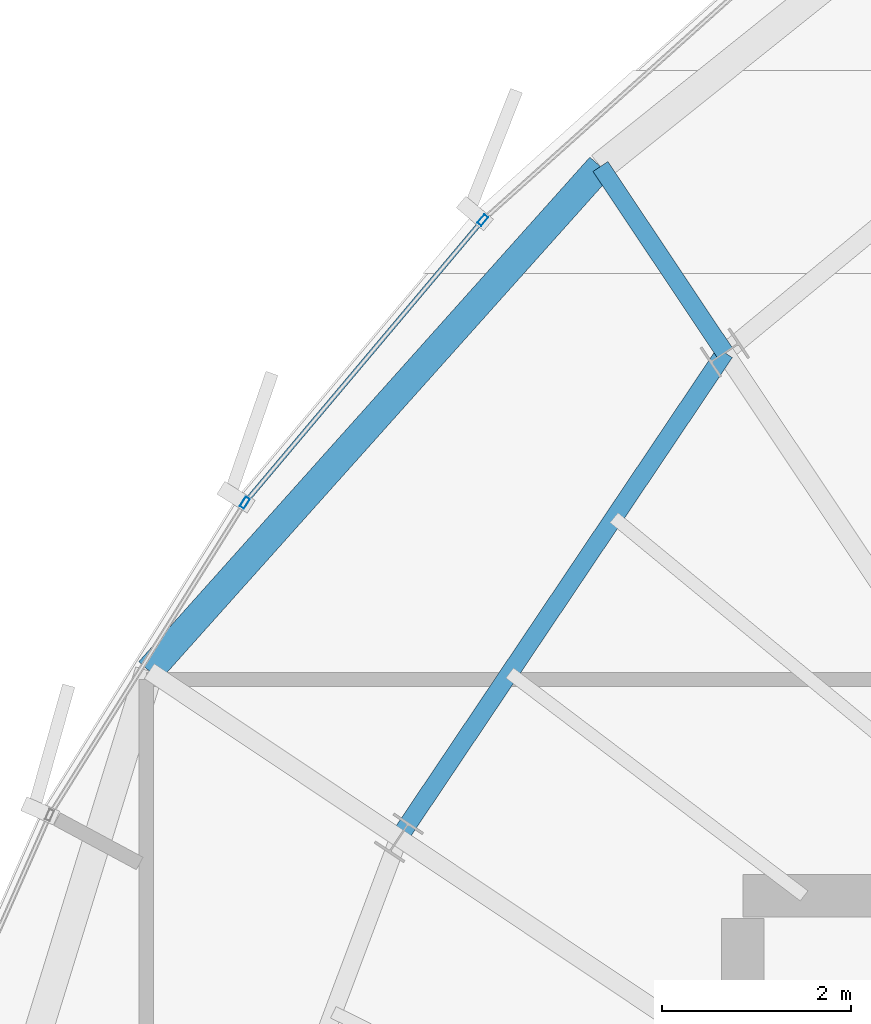
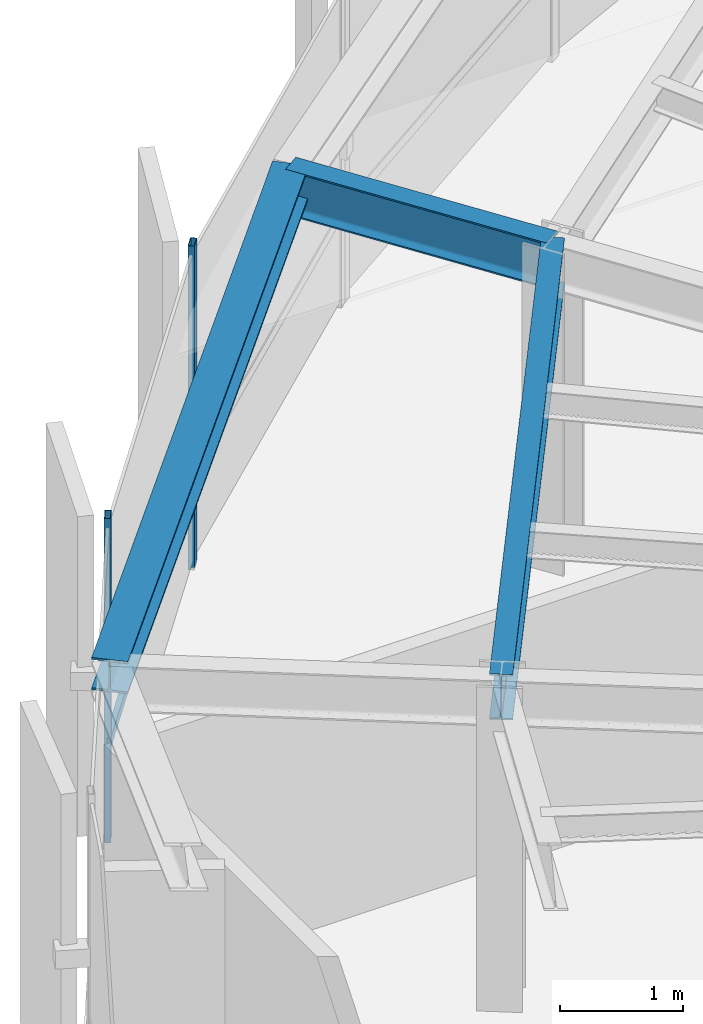
# One storey, part 17 of 31: 3 beams, 3 members, 1 element without a shape of its own.
"""IFC4 building model written with IfcOpenShell, lengths in metres."""

from ifc_helpers import new_model, si_unit, direction, frame, origin, origin_2d, place, context, subcontext, project, spatial, hollow_rectangle, i_section, extrude, source, transform, mapped, material, layer, layer_set, material_profile, profile_set, type_object, element, aggregate, save


model = new_model("IFC4")

# Units and contexts
model_context = context("Model", 3, precision=1e-05, world=origin(), true_north=direction((0.0, 1.0)))
body_context = subcontext(model_context, "Body", "Model", "MODEL_VIEW")
ifc_project = project(units=[si_unit("LENGTHUNIT", "METRE"), si_unit("AREAUNIT", "SQUARE_METRE"), si_unit("VOLUMEUNIT", "CUBIC_METRE"), si_unit("PLANEANGLEUNIT", "RADIAN"), si_unit("MASSUNIT", "GRAM", prefix="KILO"), si_unit("THERMODYNAMICTEMPERATUREUNIT", "KELVIN")], contexts=[model_context])

# Site, building, storey
site_placement = place(None, origin())
site = spatial("IfcSite", under=ifc_project, at=site_placement, CompositionType="ELEMENT")
building_placement = place(site_placement, origin())
building = spatial("IfcBuilding", under=site, at=building_placement, Name="Kethvar Cultural Tower", CompositionType="ELEMENT")
storey_placement = place(building_placement, frame((0.0, 0.0, 283.60009765625)))
storey = spatial("IfcBuildingStorey", under=building, at=storey_placement, Name="L75", CompositionType="ELEMENT", Elevation=283.60009765625)

# Beams
ifc_material_1 = material(Name="Steel S355J2", Category="steel")
ifc_material_profile_1 = material_profile(ifc_material_1, i_section(OverallWidth=0.18994140625, OverallDepth=0.449951171875, WebThickness=0.009521484375, FlangeThickness=0.0146484375, FilletRadius=0.02099609375, at=origin_2d()), Name="Steel S355J2 — IPE450")
ifc_profile_set_1 = profile_set([ifc_material_profile_1], Name="Steel S355J2 — IPE450")
beam_type_1 = type_object("IfcBeamType", Name="BM-IPE450", PredefinedType="BEAM", material=ifc_profile_set_1)
shared_shape_1 = source(origin(), body_context, "Body", "SweptSolid", [
    extrude(i_section(OverallWidth=0.18994140625, OverallDepth=0.449951171875, WebThickness=0.009521484375, FlangeThickness=0.0146484375, FilletRadius=0.02099609375, at=origin_2d()), origin(), (0.0, 0.0, 1.0), 6.192626953125),
])
beam_1_placement = place(storey_placement, frame((37.8095703125, 41.255126953125, 2.98291015625), z_axis=(-0.557698912025, -0.830043326295, 0.0), x_axis=(0.830043326295, -0.557698912025, 0.0)))
element("IfcBeam", 1, at=beam_1_placement, inside=storey, type_object=beam_type_1, Name="L75 Column Ring Tie Beam CR-06", PredefinedType="BEAM", context=body_context, shape_type="MappedRepresentation", body=[
    mapped(shared_shape_1, transform((0.0, 0.0, 0.0), scale=1.0)),
])
shared_shape_2 = source(origin(), body_context, "Body", "SweptSolid", [
    extrude(i_section(OverallWidth=0.18994140625, OverallDepth=0.449951171875, WebThickness=0.009521484375, FlangeThickness=0.0146484375, FilletRadius=0.02099609375, at=origin_2d()), origin(), (0.0, 0.0, 1.0), 2.3720703125),
])
beam_2_placement = place(storey_placement, frame((37.8095703125, 41.255126953125, 2.98291015625), z_axis=(-0.555554919902, 0.831479843996, 0.0), x_axis=(-0.831479843996, -0.555554919902, 0.0)))
element("IfcBeam", 2, at=beam_2_placement, inside=storey, type_object=beam_type_1, Name="L75 Perimeter Cantilever Beam RC-06", PredefinedType="BEAM", context=body_context, shape_type="MappedRepresentation", body=[
    mapped(shared_shape_2, transform((0.0, 0.0, 0.0), scale=1.0)),
])
ifc_material_profile_2 = material_profile(ifc_material_1, i_section(OverallWidth=0.300048828125, OverallDepth=0.320068359375, WebThickness=0.011474609375, FlangeThickness=0.0205078125, FilletRadius=0.027099609375, at=origin_2d()), Name="Steel S355J2 — HEB320")
ifc_profile_set_2 = profile_set([ifc_material_profile_2], Name="Steel S355J2 — HEB320")
beam_type_2 = type_object("IfcBeamType", Name="BM-SP320", PredefinedType="SPANDREL", material=ifc_profile_set_2)
shared_shape_3 = source(origin(), body_context, "Body", "SweptSolid", [
    extrude(i_section(OverallWidth=0.300048828125, OverallDepth=0.320068359375, WebThickness=0.011474609375, FlangeThickness=0.0205078125, FilletRadius=0.027099609375, at=origin_2d()), origin(), (0.0, 0.0, 1.0), 7.17138671875),
])
beam_3_placement = place(storey_placement, frame((36.49169921875, 43.2275390625, 3.0478515625), z_axis=(-0.666602780475, -0.745413129119, 0.0), x_axis=(0.745413129119, -0.666602780475, 0.0)))
element("IfcBeam", 3, at=beam_3_placement, inside=storey, type_object=beam_type_2, Name="L75 Perimeter Spandrel Beam SP-06", PredefinedType="SPANDREL", context=body_context, shape_type="MappedRepresentation", body=[
    mapped(shared_shape_3, transform((0.0, 0.0, 0.0), scale=1.0)),
])

# Curtain wall, members
ifc_material_2 = material(Name="Aluminium 6063-T6", Category="aluminium")
ifc_layer = layer(ifc_material_2, 0.179931640625, Name="Aluminium 6063-T6", Category="aluminium")
ifc_layer_set = layer_set([ifc_layer], Name="Aluminium 6063-T6 (180 mm)")
curtain_wall_type = type_object("IfcCurtainWallType", Name="CW-SYS-05-Z56", PredefinedType="NOTDEFINED", material=ifc_layer_set)
curtain_wall_placement = place(storey_placement, origin())
curtain_wall = element("IfcCurtainWall", 4, at=curtain_wall_placement, inside=storey, type_object=curtain_wall_type, Name="L75 Curtain Wall Run 02", PredefinedType="NOTDEFINED")
ifc_material_profile_3 = material_profile(ifc_material_2, hollow_rectangle(XDim=0.054931640625, YDim=0.1201171875, WallThickness=0.00390625, at=origin_2d()), Name="Aluminium 6063-T6 — RHS120x55x4")
ifc_profile_set_3 = profile_set([ifc_material_profile_3], Name="Aluminium 6063-T6 — RHS120x55x4")
member_type_1 = type_object("IfcMemberType", Name="CW-SYS-05-Z56-MUL", PredefinedType="MULLION", material=ifc_profile_set_3)
shared_shape_4 = source(origin(), body_context, "Body", "SweptSolid", [
    extrude(hollow_rectangle(XDim=0.054931640625, YDim=0.1201171875, WallThickness=0.00390625, at=origin_2d()), origin(), (0.0, 0.0, 1.0), 3.2099609375),
])
member_1_placement = place(storey_placement, frame((35.244384765625, 42.660400390625, 0.0), z_axis=(0.0, 0.0, 1.0), x_axis=(0.765168670243, -0.643829873552, 0.0)))
member_1 = element("IfcMember", 5, at=member_1_placement, type_object=member_type_1, Name="CW-L75-R02 Mullion 2", PredefinedType="MULLION", context=body_context, shape_type="MappedRepresentation", body=[
    mapped(shared_shape_4, transform((0.0, 0.0, 0.0), scale=1.0)),
])
member_2_placement = place(storey_placement, frame((32.72314453125, 39.665771484375, 0.0), z_axis=(0.0, 0.0, 1.0), x_axis=(0.848177554542, -0.529712031175, 0.0)))
member_2 = element("IfcMember", 6, at=member_2_placement, type_object=member_type_1, Name="CW-L75-R02 Mullion 3", PredefinedType="MULLION", context=body_context, shape_type="MappedRepresentation", body=[
    mapped(shared_shape_4, transform((0.0, 0.0, 0.0), scale=1.0)),
])
ifc_material_profile_4 = material_profile(ifc_material_2, hollow_rectangle(XDim=0.050048828125, YDim=0.10009765625, WallThickness=0.00390625, at=origin_2d()), Name="Aluminium 6063-T6 — RHS100x50x4")
ifc_profile_set_4 = profile_set([ifc_material_profile_4], Name="Aluminium 6063-T6 — RHS100x50x4")
member_type_2 = type_object("IfcMemberType", Name="CW-SYS-05-Z56-TRN", PredefinedType="USERDEFINED", material=ifc_profile_set_4)
shared_shape_5 = source(origin(), body_context, "Body", "SweptSolid", [
    extrude(hollow_rectangle(XDim=0.050048828125, YDim=0.10009765625, WallThickness=0.00390625, at=origin_2d()), origin(), (0.0, 0.0, 1.0), 3.849609375),
])
member_3_placement = place(storey_placement, frame((35.21875, 42.630126953125, 0.949951171875), z_axis=(-0.643838846908, -0.765161119773, 0.0), x_axis=(0.765161119773, -0.643838846908, 0.0)))
member_3 = element("IfcMember", 7, at=member_3_placement, type_object=member_type_2, Name="CW-L75-R02 Transom 2", ObjectType="TRANSOM", PredefinedType="USERDEFINED", context=body_context, shape_type="MappedRepresentation", body=[
    mapped(shared_shape_5, transform((0.0, 0.0, 0.0), scale=1.0)),
])
aggregate(curtain_wall, [member_1, member_2, member_3])

save(model, "model.ifc")
